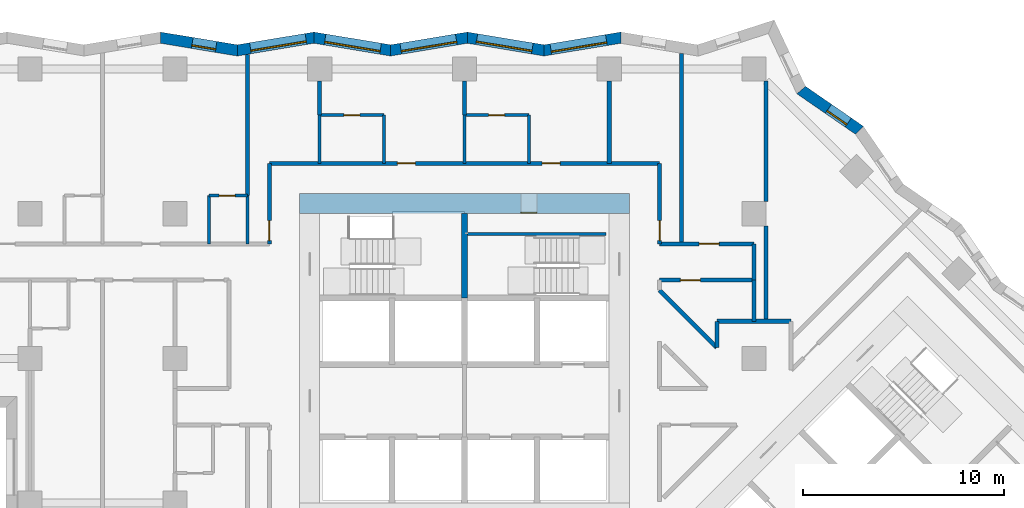
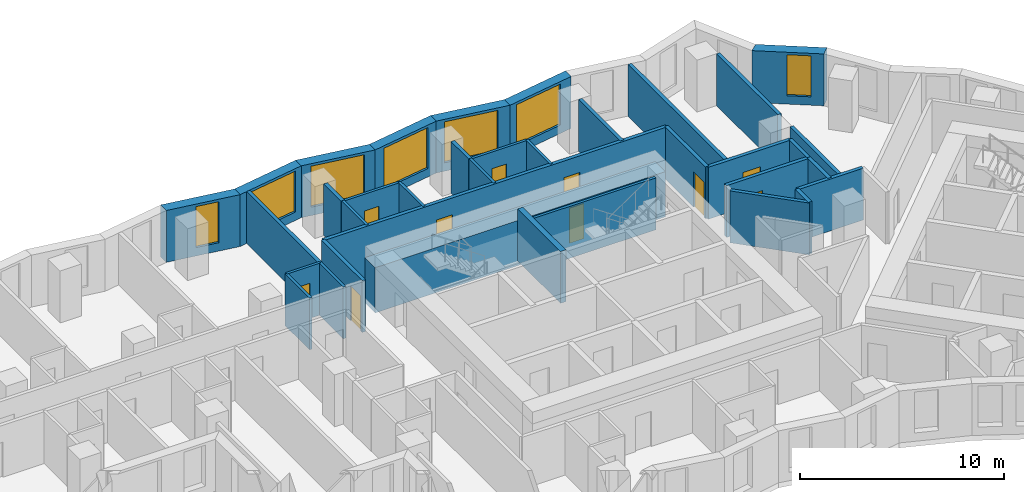
# One storey, part 6 of 13: 36 walls, 10 doors, 7 windows, 17 openings.
"""IFC4 building model written with IfcOpenShell, lengths in metres."""

from ifc_helpers import new_model, si_unit, direction, frame, frame_2d, origin, place, context, subcontext, project, spatial, polyline, rectangle, outline, extrude, material, layer, layer_set, type_object, element, fill, save


model = new_model("IFC4")

# Units and contexts
model_context = context("Model", 3, precision=1e-05, world=origin(), true_north=direction((0.0, 1.0)))
body_context = subcontext(model_context, "Body", "Model", "MODEL_VIEW")
ifc_project = project(units=[si_unit("LENGTHUNIT", "METRE"), si_unit("AREAUNIT", "SQUARE_METRE"), si_unit("VOLUMEUNIT", "CUBIC_METRE"), si_unit("PLANEANGLEUNIT", "RADIAN"), si_unit("MASSUNIT", "GRAM", prefix="KILO")], contexts=[model_context])

# Site, building, storey
site_placement = place(None, origin())
site = spatial("IfcSite", under=ifc_project, at=site_placement, CompositionType="ELEMENT")
building_placement = place(site_placement, origin())
building = spatial("IfcBuilding", under=site, at=building_placement, Name="Windrow Commons", CompositionType="ELEMENT")
storey_placement = place(building_placement, frame((0.0, 0.0, 64.4)))
storey = spatial("IfcBuildingStorey", under=building, at=storey_placement, Name="L17", CompositionType="ELEMENT", Elevation=64.4)

# Wall, opening, window
ifc_material_1 = material(Name="Brick masonry, red clay brick", Category="masonry")
ifc_layer_1 = layer(ifc_material_1, 0.55)
ifc_layer_set_1 = layer_set([ifc_layer_1], Name="Brick facade wall 550")
wall_type_1 = type_object("IfcWallType", Name="Brick facade wall 550", PredefinedType="SOLIDWALL", material=ifc_layer_set_1)
wall_1_placement = place(storey_placement, frame((84.4439, 68.9487, 0.0), z_axis=(0.0, 0.0, 1.0), x_axis=(-0.8229699745, 0.5680848714, 0.0)))
wall_1 = element("IfcWall", 1, at=wall_1_placement, inside=storey, type_object=wall_type_1, Name="Brick facade wall L17 21", PredefinedType="SOLIDWALL", context=body_context, shape_type="SweptSolid", body=[
    extrude(outline(polyline([(-0.0504, -0.275), (3.445, -0.275), (3.5927, 0.275), (0.0504, 0.275), (-0.0504, -0.275)])), origin(), (0.0, 0.0, 1.0), 3.1),
])
opening_1_placement = place(wall_1_placement, frame((0.6768, 0.0, 0.5)))
opening_1 = element("IfcOpeningElement", 2, at=opening_1_placement, cuts=wall_1, Name="Opening W7D", PredefinedType="OPENING", context=body_context, shape_type="SweptSolid", body=[
    extrude(rectangle(XDim=1.2, YDim=2.45, at=frame_2d((0.6, 1.225))), frame((0.0, 0.285, 0.0), z_axis=(0.0, -1.0, 0.0), x_axis=(1.0, 0.0, 0.0)), (0.0, 0.0, 1.0), 0.57),
])
ifc_material_2 = material(Name="Clear float glass in anodised aluminium frame", Category="aluminium")
window_type_1 = type_object("IfcWindowType", Name="Window W7 notch 1200x2450", PartitioningType="SINGLE_PANEL", PredefinedType="WINDOW", material=ifc_material_2)
window_1_placement = place(opening_1_placement, origin())
window_1 = element("IfcWindow", 3, at=window_1_placement, inside=storey, type_object=window_type_1, Name="Window L17 21.1", OverallHeight=2.45, OverallWidth=1.2, PartitioningType="SINGLE_PANEL", PredefinedType="WINDOW", context=body_context, shape_type="SweptSolid", body=[
    extrude(rectangle(XDim=1.2, YDim=2.45, at=frame_2d((0.6, 1.225))), frame((0.0, 0.155, 0.0), z_axis=(0.0, -1.0, 0.0), x_axis=(1.0, 0.0, 0.0)), (0.0, 0.0, 1.0), 0.06),
])
fill(opening_1, window_1)

wall_2_placement = place(storey_placement, frame((72.574, 73.5542, 0.0), z_axis=(0.0, 0.0, 1.0), x_axis=(-0.9865110911, -0.1636944324, 0.0)))
wall_2 = element("IfcWall", 4, at=wall_2_placement, inside=storey, type_object=wall_type_1, Name="Brick facade wall L17 25", PredefinedType="SOLIDWALL", context=body_context, shape_type="SweptSolid", body=[
    extrude(outline(polyline([(-0.0456, -0.275), (3.8213, -0.275), (3.9126, 0.275), (0.0456, 0.275), (-0.0456, -0.275)])), origin(), (0.0, 0.0, 1.0), 3.1),
])
opening_2_placement = place(wall_2_placement, frame((0.7244, 0.0, 0.5)))
opening_2 = element("IfcOpeningElement", 5, at=opening_2_placement, cuts=wall_2, Name="Opening W1T", PredefinedType="OPENING", context=body_context, shape_type="SweptSolid", body=[
    extrude(rectangle(XDim=2.8, YDim=2.45, at=frame_2d((1.4, 1.225))), frame((0.0, 0.285, 0.0), z_axis=(0.0, -1.0, 0.0), x_axis=(1.0, 0.0, 0.0)), (0.0, 0.0, 1.0), 0.57),
])
ifc_material_3 = material(Name="Clear float glass in anodised aluminium frame", Category="aluminium")
window_type_2 = type_object("IfcWindowType", Name="Window W1T bedroom 2800x2450", PartitioningType="SINGLE_PANEL", PredefinedType="WINDOW", material=ifc_material_3)
window_2_placement = place(opening_2_placement, origin())
window_2 = element("IfcWindow", 6, at=window_2_placement, inside=storey, type_object=window_type_2, Name="Window L17 25.1", OverallHeight=2.45, OverallWidth=2.8, PartitioningType="SINGLE_PANEL", PredefinedType="WINDOW", context=body_context, shape_type="SweptSolid", body=[
    extrude(rectangle(XDim=2.8, YDim=2.45, at=frame_2d((1.4, 1.225))), frame((0.0, 0.155, 0.0), z_axis=(0.0, -1.0, 0.0), x_axis=(1.0, 0.0, 0.0)), (0.0, 0.0, 1.0), 0.06),
])
fill(opening_2, window_2)

wall_3_placement = place(storey_placement, frame((68.7592, 72.9212, 0.0), z_axis=(0.0, 0.0, 1.0), x_axis=(-0.9865110911, 0.1636944324, 0.0)))
wall_3 = element("IfcWall", 7, at=wall_3_placement, inside=storey, type_object=wall_type_1, Name="Brick facade wall L17 26", PredefinedType="SOLIDWALL", context=body_context, shape_type="SweptSolid", body=[
    extrude(outline(polyline([(0.0456, -0.275), (3.9126, -0.275), (3.8213, 0.275), (-0.0456, 0.275), (0.0456, -0.275)])), origin(), (0.0, 0.0, 1.0), 3.1),
])
opening_3_placement = place(wall_3_placement, frame((0.5927, 0.0, 0.5)))
opening_3 = element("IfcOpeningElement", 8, at=opening_3_placement, cuts=wall_3, Name="Opening W1T", PredefinedType="OPENING", context=body_context, shape_type="SweptSolid", body=[
    extrude(rectangle(XDim=2.8, YDim=2.45, at=frame_2d((1.4, 1.225))), frame((0.0, 0.285, 0.0), z_axis=(0.0, -1.0, 0.0), x_axis=(1.0, 0.0, 0.0)), (0.0, 0.0, 1.0), 0.57),
])
window_3_placement = place(opening_3_placement, origin())
window_3 = element("IfcWindow", 9, at=window_3_placement, inside=storey, type_object=window_type_2, Name="Window L17 26.1", OverallHeight=2.45, OverallWidth=2.8, PartitioningType="SINGLE_PANEL", PredefinedType="WINDOW", context=body_context, shape_type="SweptSolid", body=[
    extrude(rectangle(XDim=2.8, YDim=2.45, at=frame_2d((1.4, 1.225))), frame((0.0, 0.155, 0.0), z_axis=(0.0, -1.0, 0.0), x_axis=(1.0, 0.0, 0.0)), (0.0, 0.0, 1.0), 0.06),
])
fill(opening_3, window_3)

wall_4_placement = place(storey_placement, frame((64.9444, 73.5542, 0.0), z_axis=(0.0, 0.0, 1.0), x_axis=(-0.9865103981, -0.1636986085, 0.0)))
wall_4 = element("IfcWall", 10, at=wall_4_placement, inside=storey, type_object=wall_type_1, Name="Brick facade wall L17 27", PredefinedType="SOLIDWALL", context=body_context, shape_type="SweptSolid", body=[
    extrude(outline(polyline([(-0.0456, -0.275), (3.8213, -0.275), (3.9126, 0.275), (0.0456, 0.275), (-0.0456, -0.275)])), origin(), (0.0, 0.0, 1.0), 3.1),
])
opening_4_placement = place(wall_4_placement, frame((0.5563, 0.0, 0.5)))
opening_4 = element("IfcOpeningElement", 11, at=opening_4_placement, cuts=wall_4, Name="Opening W1T", PredefinedType="OPENING", context=body_context, shape_type="SweptSolid", body=[
    extrude(rectangle(XDim=2.8, YDim=2.45, at=frame_2d((1.4, 1.225))), frame((0.0, 0.285, 0.0), z_axis=(0.0, -1.0, 0.0), x_axis=(1.0, 0.0, 0.0)), (0.0, 0.0, 1.0), 0.57),
])
window_4_placement = place(opening_4_placement, origin())
window_4 = element("IfcWindow", 12, at=window_4_placement, inside=storey, type_object=window_type_2, Name="Window L17 27.1", OverallHeight=2.45, OverallWidth=2.8, PartitioningType="SINGLE_PANEL", PredefinedType="WINDOW", context=body_context, shape_type="SweptSolid", body=[
    extrude(rectangle(XDim=2.8, YDim=2.45, at=frame_2d((1.4, 1.225))), frame((0.0, 0.155, 0.0), z_axis=(0.0, -1.0, 0.0), x_axis=(1.0, 0.0, 0.0)), (0.0, 0.0, 1.0), 0.06),
])
fill(opening_4, window_4)

wall_5_placement = place(storey_placement, frame((61.1297, 72.9212, 0.0), z_axis=(0.0, 0.0, 1.0), x_axis=(-0.9865110911, 0.1636944324, 0.0)))
wall_5 = element("IfcWall", 13, at=wall_5_placement, inside=storey, type_object=wall_type_1, Name="Brick facade wall L17 28", PredefinedType="SOLIDWALL", context=body_context, shape_type="SweptSolid", body=[
    extrude(outline(polyline([(0.0456, -0.275), (3.9126, -0.275), (3.8213, 0.275), (-0.0456, 0.275), (0.0456, -0.275)])), origin(), (0.0, 0.0, 1.0), 3.1),
])
opening_5_placement = place(wall_5_placement, frame((0.5107, 0.0, 0.5)))
opening_5 = element("IfcOpeningElement", 14, at=opening_5_placement, cuts=wall_5, Name="Opening W1T", PredefinedType="OPENING", context=body_context, shape_type="SweptSolid", body=[
    extrude(rectangle(XDim=2.8, YDim=2.45, at=frame_2d((1.4, 1.225))), frame((0.0, 0.285, 0.0), z_axis=(0.0, -1.0, 0.0), x_axis=(1.0, 0.0, 0.0)), (0.0, 0.0, 1.0), 0.57),
])
window_5_placement = place(opening_5_placement, origin())
window_5 = element("IfcWindow", 15, at=window_5_placement, inside=storey, type_object=window_type_2, Name="Window L17 28.1", OverallHeight=2.45, OverallWidth=2.8, PartitioningType="SINGLE_PANEL", PredefinedType="WINDOW", context=body_context, shape_type="SweptSolid", body=[
    extrude(rectangle(XDim=2.8, YDim=2.45, at=frame_2d((1.4, 1.225))), frame((0.0, 0.155, 0.0), z_axis=(0.0, -1.0, 0.0), x_axis=(1.0, 0.0, 0.0)), (0.0, 0.0, 1.0), 0.06),
])
fill(opening_5, window_5)

wall_6_placement = place(storey_placement, frame((57.3149, 73.5542, 0.0), z_axis=(0.0, 0.0, 1.0), x_axis=(-0.9865110911, -0.1636944324, 0.0)))
wall_6 = element("IfcWall", 16, at=wall_6_placement, inside=storey, type_object=wall_type_1, Name="Brick facade wall L17 29", PredefinedType="SOLIDWALL", context=body_context, shape_type="SweptSolid", body=[
    extrude(outline(polyline([(-0.0456, -0.275), (3.8213, -0.275), (3.9126, 0.275), (0.0456, 0.275), (-0.0456, -0.275)])), origin(), (0.0, 0.0, 1.0), 3.1),
])
opening_6_placement = place(wall_6_placement, frame((0.4029, 0.0, 0.5)))
opening_6 = element("IfcOpeningElement", 17, at=opening_6_placement, cuts=wall_6, Name="Opening W1T", PredefinedType="OPENING", context=body_context, shape_type="SweptSolid", body=[
    extrude(rectangle(XDim=2.8, YDim=2.45, at=frame_2d((1.4, 1.225))), frame((0.0, 0.285, 0.0), z_axis=(0.0, -1.0, 0.0), x_axis=(1.0, 0.0, 0.0)), (0.0, 0.0, 1.0), 0.57),
])
window_6_placement = place(opening_6_placement, origin())
window_6 = element("IfcWindow", 18, at=window_6_placement, inside=storey, type_object=window_type_2, Name="Window L17 29.1", OverallHeight=2.45, OverallWidth=2.8, PartitioningType="SINGLE_PANEL", PredefinedType="WINDOW", context=body_context, shape_type="SweptSolid", body=[
    extrude(rectangle(XDim=2.8, YDim=2.45, at=frame_2d((1.4, 1.225))), frame((0.0, 0.155, 0.0), z_axis=(0.0, -1.0, 0.0), x_axis=(1.0, 0.0, 0.0)), (0.0, 0.0, 1.0), 0.06),
])
fill(opening_6, window_6)

wall_7_placement = place(storey_placement, frame((53.5001, 72.9212, 0.0), z_axis=(0.0, 0.0, 1.0), x_axis=(-0.9865110911, 0.1636944324, 0.0)))
wall_7 = element("IfcWall", 19, at=wall_7_placement, inside=storey, type_object=wall_type_1, Name="Brick facade wall L17 30", PredefinedType="SOLIDWALL", context=body_context, shape_type="SweptSolid", body=[
    extrude(outline(polyline([(0.0456, -0.275), (3.9126, -0.275), (3.8213, 0.275), (-0.0456, 0.275), (0.0456, -0.275)])), origin(), (0.0, 0.0, 1.0), 3.1),
])
opening_7_placement = place(wall_7_placement, frame((1.0712, 0.0, 0.5)))
opening_7 = element("IfcOpeningElement", 20, at=opening_7_placement, cuts=wall_7, Name="Opening W7D", PredefinedType="OPENING", context=body_context, shape_type="SweptSolid", body=[
    extrude(rectangle(XDim=1.2, YDim=2.45, at=frame_2d((0.6, 1.225))), frame((0.0, 0.285, 0.0), z_axis=(0.0, -1.0, 0.0), x_axis=(1.0, 0.0, 0.0)), (0.0, 0.0, 1.0), 0.57),
])
window_7_placement = place(opening_7_placement, origin())
window_7 = element("IfcWindow", 21, at=window_7_placement, inside=storey, type_object=window_type_1, Name="Window L17 30.1", OverallHeight=2.45, OverallWidth=1.2, PartitioningType="SINGLE_PANEL", PredefinedType="WINDOW", context=body_context, shape_type="SweptSolid", body=[
    extrude(rectangle(XDim=1.2, YDim=2.45, at=frame_2d((0.6, 1.225))), frame((0.0, 0.155, 0.0), z_axis=(0.0, -1.0, 0.0), x_axis=(1.0, 0.0, 0.0)), (0.0, 0.0, 1.0), 0.06),
])
fill(opening_7, window_7)

# Wall, openings, doors
ifc_material_4 = material(Name="Blockwork partition", Category="masonry")
ifc_layer_2 = layer(ifc_material_4, 0.2)
ifc_layer_set_2 = layer_set([ifc_layer_2], Name="IW-CORRIDOR-200")
wall_type_2 = type_object("IfcWallType", Name="IW-CORRIDOR-200", PredefinedType="PARTITIONING", material=ifc_layer_set_2)
wall_8_placement = place(storey_placement, frame((55.1, 67.3, 0.0), z_axis=(0.0, 0.0, 1.0), x_axis=(1.0, 0.0, 0.0)))
wall_8 = element("IfcWall", 22, at=wall_8_placement, inside=storey, type_object=wall_type_2, Name="W-L17-W002", PredefinedType="PARTITIONING", context=body_context, shape_type="SweptSolid", body=[
    extrude(rectangle(XDim=19.4, YDim=0.2, at=frame_2d((9.7, 0.0))), origin(), (0.0, 0.0, 1.0), 3.1),
])
opening_8_placement = place(wall_8_placement, frame((6.3607, 0.0, 0.0)))
opening_8 = element("IfcOpeningElement", 23, at=opening_8_placement, cuts=wall_8, Name="Opening D109F", PredefinedType="OPENING", context=body_context, shape_type="SweptSolid", body=[
    extrude(rectangle(XDim=0.9, YDim=2.1, at=frame_2d((0.45, 1.05))), frame((0.0, 0.11, 0.0), z_axis=(0.0, -1.0, 0.0), x_axis=(1.0, 0.0, 0.0)), (0.0, 0.0, 1.0), 0.22),
])
opening_9_placement = place(wall_8_placement, frame((13.5607, 0.0, 0.0)))
opening_9 = element("IfcOpeningElement", 24, at=opening_9_placement, cuts=wall_8, Name="Opening D109F", PredefinedType="OPENING", context=body_context, shape_type="SweptSolid", body=[
    extrude(rectangle(XDim=0.9, YDim=2.1, at=frame_2d((0.45, 1.05))), frame((0.0, 0.11, 0.0), z_axis=(0.0, -1.0, 0.0), x_axis=(1.0, 0.0, 0.0)), (0.0, 0.0, 1.0), 0.22),
])
ifc_material_5 = material(Name="Timber door leaf", Category="wood")
door_type_1 = type_object("IfcDoorType", Name="DT-BEDROOM-900", OperationType="SINGLE_SWING_LEFT", PredefinedType="DOOR", material=ifc_material_5)
door_1_placement = place(opening_8_placement, origin())
door_1 = element("IfcDoor", 25, at=door_1_placement, inside=storey, type_object=door_type_1, Name="D-L17-D025", OperationType="SINGLE_SWING_RIGHT", OverallHeight=2.1, OverallWidth=0.9, PredefinedType="DOOR", context=body_context, shape_type="SweptSolid", body=[
    extrude(rectangle(XDim=0.9, YDim=2.1, at=frame_2d((0.45, 1.05))), frame((0.0, 0.025, 0.0), z_axis=(0.0, -1.0, 0.0), x_axis=(1.0, 0.0, 0.0)), (0.0, 0.0, 1.0), 0.05),
])
fill(opening_8, door_1)
door_2_placement = place(opening_9_placement, origin())
door_2 = element("IfcDoor", 26, at=door_2_placement, inside=storey, type_object=door_type_1, Name="D-L17-D027", OperationType="SINGLE_SWING_RIGHT", OverallHeight=2.1, OverallWidth=0.9, PredefinedType="DOOR", context=body_context, shape_type="SweptSolid", body=[
    extrude(rectangle(XDim=0.9, YDim=2.1, at=frame_2d((0.45, 1.05))), frame((0.0, 0.025, 0.0), z_axis=(0.0, -1.0, 0.0), x_axis=(1.0, 0.0, 0.0)), (0.0, 0.0, 1.0), 0.05),
])
fill(opening_9, door_2)

# Wall, opening, door
wall_9_placement = place(storey_placement, frame((74.502, 63.3, 0.0), z_axis=(0.0, 0.0, 1.0), x_axis=(1.0, 0.0, 0.0)))
wall_9 = element("IfcWall", 27, at=wall_9_placement, inside=storey, type_object=wall_type_2, Name="W-L17-W041", PredefinedType="PARTITIONING", context=body_context, shape_type="SweptSolid", body=[
    extrude(rectangle(XDim=4.698, YDim=0.2, at=frame_2d((2.349, 0.0))), origin(), (0.0, 0.0, 1.0), 3.1),
])
opening_10_placement = place(wall_9_placement, frame((1.9629, 0.0, 0.0)))
opening_10 = element("IfcOpeningElement", 28, at=opening_10_placement, cuts=wall_9, Name="Opening D310F", PredefinedType="OPENING", context=body_context, shape_type="SweptSolid", body=[
    extrude(rectangle(XDim=1.0, YDim=2.1, at=frame_2d((0.5, 1.05))), frame((0.0, 0.11, 0.0), z_axis=(0.0, -1.0, 0.0), x_axis=(1.0, 0.0, 0.0)), (0.0, 0.0, 1.0), 0.22),
])
ifc_material_6 = material(Name="Timber door leaf", Category="wood")
door_type_2 = type_object("IfcDoorType", Name="DT-AMENITY-1000", OperationType="SINGLE_SWING_LEFT", PredefinedType="DOOR", material=ifc_material_6)
door_3_placement = place(opening_10_placement, origin())
door_3 = element("IfcDoor", 29, at=door_3_placement, inside=storey, type_object=door_type_2, Name="D-L17-D034", OperationType="SINGLE_SWING_LEFT", OverallHeight=2.1, OverallWidth=1.0, PredefinedType="DOOR", context=body_context, shape_type="SweptSolid", body=[
    extrude(rectangle(XDim=1.0, YDim=2.1, at=frame_2d((0.5, 1.05))), frame((0.0, 0.025, 0.0), z_axis=(0.0, -1.0, 0.0), x_axis=(1.0, 0.0, 0.0)), (0.0, 0.0, 1.0), 0.05),
])
fill(opening_10, door_3)

wall_10_placement = place(storey_placement, frame((74.502, 61.5, 0.0), z_axis=(0.0, 0.0, 1.0), x_axis=(1.0, 0.0, 0.0)))
wall_10 = element("IfcWall", 30, at=wall_10_placement, inside=storey, type_object=wall_type_2, Name="W-L17-W042", PredefinedType="PARTITIONING", context=body_context, shape_type="SweptSolid", body=[
    extrude(rectangle(XDim=4.698, YDim=0.2, at=frame_2d((2.349, 0.0))), origin(), (0.0, 0.0, 1.0), 3.1),
])
opening_11_placement = place(wall_10_placement, frame((1.0335, 0.0, 0.0)))
opening_11 = element("IfcOpeningElement", 31, at=opening_11_placement, cuts=wall_10, Name="Opening D410F", PredefinedType="OPENING", context=body_context, shape_type="SweptSolid", body=[
    extrude(rectangle(XDim=1.0, YDim=2.1, at=frame_2d((0.5, 1.05))), frame((0.0, 0.11, 0.0), z_axis=(0.0, -1.0, 0.0), x_axis=(1.0, 0.0, 0.0)), (0.0, 0.0, 1.0), 0.22),
])
ifc_material_7 = material(Name="Timber door leaf", Category="wood")
door_type_3 = type_object("IfcDoorType", Name="DT-SERVICE-1000", OperationType="SINGLE_SWING_LEFT", PredefinedType="DOOR", material=ifc_material_7)
door_4_placement = place(opening_11_placement, origin())
door_4 = element("IfcDoor", 32, at=door_4_placement, inside=storey, type_object=door_type_3, Name="D-L17-D035", OperationType="SINGLE_SWING_RIGHT", OverallHeight=2.1, OverallWidth=1.0, PredefinedType="DOOR", context=body_context, shape_type="SweptSolid", body=[
    extrude(rectangle(XDim=1.0, YDim=2.1, at=frame_2d((0.5, 1.05))), frame((0.0, 0.025, 0.0), z_axis=(0.0, -1.0, 0.0), x_axis=(1.0, 0.0, 0.0)), (0.0, 0.0, 1.0), 0.05),
])
fill(opening_11, door_4)

# Wall
wall_11_placement = place(storey_placement, frame((74.4969, 60.9989, 0.0), z_axis=(0.0, 0.0, 1.0), x_axis=(0.7071067812, -0.7071067812, 0.0)))
element("IfcWall", 33, at=wall_11_placement, inside=storey, type_object=wall_type_2, Name="W-L17-W048", PredefinedType="PARTITIONING", context=body_context, shape_type="SweptSolid", body=[
    extrude(rectangle(XDim=4.0277, YDim=0.2, at=frame_2d((2.0139, 0.0))), origin(), (0.0, 0.0, 1.0), 3.1),
])

# Wall, opening, door
wall_12_placement = place(storey_placement, frame((55.1, 63.302, 0.0), z_axis=(0.0, 0.0, 1.0), x_axis=(0.0, 1.0, 0.0)))
wall_12 = element("IfcWall", 34, at=wall_12_placement, inside=storey, type_object=wall_type_2, Name="W-L17-W049", PredefinedType="PARTITIONING", context=body_context, shape_type="SweptSolid", body=[
    extrude(rectangle(XDim=3.998, YDim=0.2, at=frame_2d((1.999, 0.0))), origin(), (0.0, 0.0, 1.0), 3.1),
])
opening_12_placement = place(wall_12_placement, frame((0.1545, 0.0, 0.0)))
opening_12 = element("IfcOpeningElement", 35, at=opening_12_placement, cuts=wall_12, Name="Opening D310F", PredefinedType="OPENING", context=body_context, shape_type="SweptSolid", body=[
    extrude(rectangle(XDim=1.0, YDim=2.1, at=frame_2d((0.5, 1.05))), frame((0.0, 0.11, 0.0), z_axis=(0.0, -1.0, 0.0), x_axis=(1.0, 0.0, 0.0)), (0.0, 0.0, 1.0), 0.22),
])
door_5_placement = place(opening_12_placement, origin())
door_5 = element("IfcDoor", 36, at=door_5_placement, inside=storey, type_object=door_type_2, Name="D-L17-D015", OperationType="SINGLE_SWING_LEFT", OverallHeight=2.1, OverallWidth=1.0, PredefinedType="DOOR", context=body_context, shape_type="SweptSolid", body=[
    extrude(rectangle(XDim=1.0, YDim=2.1, at=frame_2d((0.5, 1.05))), frame((0.0, 0.025, 0.0), z_axis=(0.0, -1.0, 0.0), x_axis=(1.0, 0.0, 0.0)), (0.0, 0.0, 1.0), 0.05),
])
fill(opening_12, door_5)

wall_13_placement = place(storey_placement, frame((74.5, 63.302, 0.0), z_axis=(0.0, 0.0, 1.0), x_axis=(0.0, 1.0, 0.0)))
wall_13 = element("IfcWall", 37, at=wall_13_placement, inside=storey, type_object=wall_type_2, Name="W-L17-W050", PredefinedType="PARTITIONING", context=body_context, shape_type="SweptSolid", body=[
    extrude(rectangle(XDim=3.998, YDim=0.2, at=frame_2d((1.999, 0.0))), origin(), (0.0, 0.0, 1.0), 3.1),
])
opening_13_placement = place(wall_13_placement, frame((0.1545, 0.0, 0.0)))
opening_13 = element("IfcOpeningElement", 38, at=opening_13_placement, cuts=wall_13, Name="Opening D310F", PredefinedType="OPENING", context=body_context, shape_type="SweptSolid", body=[
    extrude(rectangle(XDim=1.0, YDim=2.1, at=frame_2d((0.5, 1.05))), frame((0.0, 0.11, 0.0), z_axis=(0.0, -1.0, 0.0), x_axis=(1.0, 0.0, 0.0)), (0.0, 0.0, 1.0), 0.22),
])
door_6_placement = place(opening_13_placement, origin())
door_6 = element("IfcDoor", 39, at=door_6_placement, inside=storey, type_object=door_type_2, Name="D-L17-D016", OperationType="SINGLE_SWING_RIGHT", OverallHeight=2.1, OverallWidth=1.0, PredefinedType="DOOR", context=body_context, shape_type="SweptSolid", body=[
    extrude(rectangle(XDim=1.0, YDim=2.1, at=frame_2d((0.5, 1.05))), frame((0.0, 0.025, 0.0), z_axis=(0.0, -1.0, 0.0), x_axis=(1.0, 0.0, 0.0)), (0.0, 0.0, 1.0), 0.05),
])
fill(opening_13, door_6)

# Walls
wall_14_placement = place(storey_placement, frame((77.352, 59.45, 0.0), z_axis=(0.0, 0.0, 1.0), x_axis=(1.0, 0.0, 0.0)))
element("IfcWall", 40, at=wall_14_placement, inside=storey, type_object=wall_type_2, Name="W-L17-W053", PredefinedType="PARTITIONING", context=body_context, shape_type="SweptSolid", body=[
    extrude(rectangle(XDim=3.698, YDim=0.2, at=frame_2d((1.849, 0.0))), origin(), (0.0, 0.0, 1.0), 3.1),
])
wall_15_placement = place(storey_placement, frame((79.2, 61.5, 0.0), z_axis=(0.0, 0.0, 1.0), x_axis=(0.0, 1.0, 0.0)))
element("IfcWall", 41, at=wall_15_placement, inside=storey, type_object=wall_type_2, Name="W-L17-W134", PredefinedType="PARTITIONING", context=body_context, shape_type="SweptSolid", body=[
    extrude(rectangle(XDim=1.8, YDim=0.2, at=frame_2d((0.9, 0.0))), origin(), (0.0, 0.0, 1.0), 3.1),
])
wall_16_placement = place(storey_placement, frame((77.35, 58.154, 0.0), z_axis=(0.0, 0.0, 1.0), x_axis=(0.0, 1.0, 0.0)))
element("IfcWall", 42, at=wall_16_placement, inside=storey, type_object=wall_type_2, Name="W-L17-W142", PredefinedType="PARTITIONING", context=body_context, shape_type="SweptSolid", body=[
    extrude(rectangle(XDim=1.296, YDim=0.2, at=frame_2d((0.648, 0.0))), origin(), (0.0, 0.0, 1.0), 3.1),
])

# Wall, opening, door
ifc_material_8 = material(Name="Blockwork partition", Category="masonry")
ifc_layer_3 = layer(ifc_material_8, 0.15)
ifc_layer_set_3 = layer_set([ifc_layer_3], Name="IW-ENSUITE-150")
wall_type_3 = type_object("IfcWallType", Name="IW-ENSUITE-150", PredefinedType="PARTITIONING", material=ifc_layer_set_3)
wall_17_placement = place(storey_placement, frame((64.8, 69.7, 0.0), z_axis=(0.0, 0.0, 1.0), x_axis=(1.0, 0.0, 0.0)))
wall_17 = element("IfcWall", 43, at=wall_17_placement, inside=storey, type_object=wall_type_3, Name="W-L17-W060", PredefinedType="PARTITIONING", context=body_context, shape_type="SweptSolid", body=[
    extrude(rectangle(XDim=3.2, YDim=0.15, at=frame_2d((1.6, 0.0))), origin(), (0.0, 0.0, 1.0), 3.1),
])
opening_14_placement = place(wall_17_placement, frame((1.1958, 0.0, 0.0)))
opening_14 = element("IfcOpeningElement", 44, at=opening_14_placement, cuts=wall_17, Name="Opening D208N", PredefinedType="OPENING", context=body_context, shape_type="SweptSolid", body=[
    extrude(rectangle(XDim=0.8, YDim=2.1, at=frame_2d((0.4, 1.05))), frame((0.0, 0.085, 0.0), z_axis=(0.0, -1.0, 0.0), x_axis=(1.0, 0.0, 0.0)), (0.0, 0.0, 1.0), 0.17),
])
ifc_material_9 = material(Name="Timber door leaf", Category="wood")
door_type_4 = type_object("IfcDoorType", Name="DT-ENSUITE-800", OperationType="SINGLE_SWING_LEFT", PredefinedType="DOOR", material=ifc_material_9)
door_7_placement = place(opening_14_placement, origin())
door_7 = element("IfcDoor", 45, at=door_7_placement, inside=storey, type_object=door_type_4, Name="D-L17-D028", OperationType="SINGLE_SWING_RIGHT", OverallHeight=2.1, OverallWidth=0.8, PredefinedType="DOOR", context=body_context, shape_type="SweptSolid", body=[
    extrude(rectangle(XDim=0.8, YDim=2.1, at=frame_2d((0.4, 1.05))), frame((0.0, 0.025, 0.0), z_axis=(0.0, -1.0, 0.0), x_axis=(1.0, 0.0, 0.0)), (0.0, 0.0, 1.0), 0.05),
])
fill(opening_14, door_7)

wall_18_placement = place(storey_placement, frame((57.6, 69.7, 0.0), z_axis=(0.0, 0.0, 1.0), x_axis=(1.0, 0.0, 0.0)))
wall_18 = element("IfcWall", 46, at=wall_18_placement, inside=storey, type_object=wall_type_3, Name="W-L17-W062", PredefinedType="PARTITIONING", context=body_context, shape_type="SweptSolid", body=[
    extrude(rectangle(XDim=3.2, YDim=0.15, at=frame_2d((1.6, 0.0))), origin(), (0.0, 0.0, 1.0), 3.1),
])
opening_15_placement = place(wall_18_placement, frame((1.1958, 0.0, 0.0)))
opening_15 = element("IfcOpeningElement", 47, at=opening_15_placement, cuts=wall_18, Name="Opening D208N", PredefinedType="OPENING", context=body_context, shape_type="SweptSolid", body=[
    extrude(rectangle(XDim=0.8, YDim=2.1, at=frame_2d((0.4, 1.05))), frame((0.0, 0.085, 0.0), z_axis=(0.0, -1.0, 0.0), x_axis=(1.0, 0.0, 0.0)), (0.0, 0.0, 1.0), 0.17),
])
door_8_placement = place(opening_15_placement, origin())
door_8 = element("IfcDoor", 48, at=door_8_placement, inside=storey, type_object=door_type_4, Name="D-L17-D026", OperationType="SINGLE_SWING_RIGHT", OverallHeight=2.1, OverallWidth=0.8, PredefinedType="DOOR", context=body_context, shape_type="SweptSolid", body=[
    extrude(rectangle(XDim=0.8, YDim=2.1, at=frame_2d((0.4, 1.05))), frame((0.0, 0.025, 0.0), z_axis=(0.0, -1.0, 0.0), x_axis=(1.0, 0.0, 0.0)), (0.0, 0.0, 1.0), 0.05),
])
fill(opening_15, door_8)

# Walls
for number, where, z_axis, x_axis, name in (
    (49, (52.1, 63.3, 0.0), (0.0, 0.0, 1.0), (0.0, 1.0, 0.0), "W-L17-W078"),
    (50, (54.0, 63.3, 0.0), (0.0, 0.0, 1.0), (0.0, 1.0, 0.0), "W-L17-W079"),
    (51, (57.6, 67.3, 0.0), (0.0, 0.0, 1.0), (0.0, 1.0, 0.0), "W-L17-W080"),
    (52, (60.8, 67.3, 0.0), (0.0, 0.0, 1.0), (0.0, 1.0, 0.0), "W-L17-W081"),
    (53, (68.0, 67.3, 0.0), (0.0, 0.0, 1.0), (0.0, 1.0, 0.0), "W-L17-W082"),
    (54, (64.8, 67.3, 0.0), (0.0, 0.0, 1.0), (0.0, 1.0, 0.0), "W-L17-W083"),
):
    element("IfcWall", number, at=place(storey_placement, frame(where, z_axis=z_axis, x_axis=x_axis)), inside=storey, type_object=wall_type_3, Name=name, PredefinedType="PARTITIONING", context=body_context, shape_type="SweptSolid", body=[
        extrude(rectangle(XDim=2.4, YDim=0.15, at=frame_2d((1.2, 0.0))), origin(), (0.0, 0.0, 1.0), 3.1),
    ])

# Wall, opening, door
wall_19_placement = place(storey_placement, frame((52.1, 65.7, 0.0), z_axis=(0.0, 0.0, 1.0), x_axis=(1.0, 0.0, 0.0)))
wall_19 = element("IfcWall", 55, at=wall_19_placement, inside=storey, type_object=wall_type_3, Name="W-L17-W122", PredefinedType="PARTITIONING", context=body_context, shape_type="SweptSolid", body=[
    extrude(rectangle(XDim=1.9, YDim=0.15, at=frame_2d((0.95, 0.0))), origin(), (0.0, 0.0, 1.0), 3.1),
])
opening_16_placement = place(wall_19_placement, frame((0.4931, 0.0, 0.0)))
opening_16 = element("IfcOpeningElement", 56, at=opening_16_placement, cuts=wall_19, Name="Opening D208N", PredefinedType="OPENING", context=body_context, shape_type="SweptSolid", body=[
    extrude(rectangle(XDim=0.8, YDim=2.1, at=frame_2d((0.4, 1.05))), frame((0.0, 0.085, 0.0), z_axis=(0.0, -1.0, 0.0), x_axis=(1.0, 0.0, 0.0)), (0.0, 0.0, 1.0), 0.17),
])
door_9_placement = place(opening_16_placement, origin())
door_9 = element("IfcDoor", 57, at=door_9_placement, inside=storey, type_object=door_type_4, Name="D-L17-D014", OperationType="SINGLE_SWING_RIGHT", OverallHeight=2.1, OverallWidth=0.8, PredefinedType="DOOR", context=body_context, shape_type="SweptSolid", body=[
    extrude(rectangle(XDim=0.8, YDim=2.1, at=frame_2d((0.4, 1.05))), frame((0.0, 0.025, 0.0), z_axis=(0.0, -1.0, 0.0), x_axis=(1.0, 0.0, 0.0)), (0.0, 0.0, 1.0), 0.05),
])
fill(opening_16, door_9)

# Walls
ifc_material_10 = material(Name="Blockwork partition", Category="masonry")
ifc_layer_4 = layer(ifc_material_10, 0.2)
ifc_layer_set_4 = layer_set([ifc_layer_4], Name="IW-PARTY-200")
wall_type_4 = type_object("IfcWallType", Name="IW-PARTY-200", PredefinedType="PARTITIONING", material=ifc_layer_set_4)
wall_20_placement = place(storey_placement, frame((75.6, 63.3, 0.0), z_axis=(0.0, 0.0, 1.0), x_axis=(0.0, 1.0, 0.0)))
element("IfcWall", 58, at=wall_20_placement, inside=storey, type_object=wall_type_4, Name="W-L17-W014", PredefinedType="PARTITIONING", context=body_context, shape_type="SweptSolid", body=[
    extrude(rectangle(XDim=9.4734, YDim=0.2, at=frame_2d((4.7367, 0.0))), origin(), (0.0, 0.0, 1.0), 3.1),
])
wall_21_placement = place(storey_placement, frame((54.0, 65.7, 0.0), z_axis=(0.0, 0.0, 1.0), x_axis=(0.0, 1.0, 0.0)))
element("IfcWall", 59, at=wall_21_placement, inside=storey, type_object=wall_type_4, Name="W-L17-W024", PredefinedType="PARTITIONING", context=body_context, shape_type="SweptSolid", body=[
    extrude(rectangle(XDim=7.0254, YDim=0.2, at=frame_2d((3.5127, 0.0))), origin(), (0.0, 0.0, 1.0), 3.1),
])
wall_22_placement = place(storey_placement, frame((79.8, 65.4, 0.0), z_axis=(0.0, 0.0, 1.0), x_axis=(0.0, 1.0, 0.0)))
element("IfcWall", 60, at=wall_22_placement, inside=storey, type_object=wall_type_4, Name="W-L17-W030", PredefinedType="PARTITIONING", context=body_context, shape_type="SweptSolid", body=[
    extrude(rectangle(XDim=6.0, YDim=0.2, at=frame_2d((3.0, 0.0))), origin(), (0.0, 0.0, 1.0), 3.1),
])
wall_23_placement = place(storey_placement, frame((79.8, 59.45, 0.0), z_axis=(0.0, 0.0, 1.0), x_axis=(0.0, 1.0, 0.0)))
element("IfcWall", 61, at=wall_23_placement, inside=storey, type_object=wall_type_4, Name="W-L17-W038", PredefinedType="PARTITIONING", context=body_context, shape_type="SweptSolid", body=[
    extrude(rectangle(XDim=4.75, YDim=0.2, at=frame_2d((2.375, 0.0))), origin(), (0.0, 0.0, 1.0), 3.1),
])
wall_24_placement = place(storey_placement, frame((72.0, 67.3, 0.0), z_axis=(0.0, 0.0, 1.0), x_axis=(0.0, 1.0, 0.0)))
element("IfcWall", 62, at=wall_24_placement, inside=storey, type_object=wall_type_4, Name="W-L17-W046", PredefinedType="PARTITIONING", context=body_context, shape_type="SweptSolid", body=[
    extrude(rectangle(XDim=4.1, YDim=0.2, at=frame_2d((2.05, 0.0))), origin(), (0.0, 0.0, 1.0), 3.1),
])
wall_25_placement = place(storey_placement, frame((79.2, 59.45, 0.0), z_axis=(0.0, 0.0, 1.0), x_axis=(0.0, 1.0, 0.0)))
element("IfcWall", 63, at=wall_25_placement, inside=storey, type_object=wall_type_4, Name="W-L17-W113", PredefinedType="PARTITIONING", context=body_context, shape_type="SweptSolid", body=[
    extrude(rectangle(XDim=2.05, YDim=0.2, at=frame_2d((1.025, 0.0))), origin(), (0.0, 0.0, 1.0), 3.1),
])
for number, where, z_axis, x_axis, name in (
    (64, (57.6, 69.7, 0.0), (0.0, 0.0, 1.0), (0.0, 1.0, 0.0), "W-L17-W137"),
    (65, (64.8, 69.7, 0.0), (0.0, 0.0, 1.0), (0.0, 1.0, 0.0), "W-L17-W139"),
):
    element("IfcWall", number, at=place(storey_placement, frame(where, z_axis=z_axis, x_axis=x_axis)), inside=storey, type_object=wall_type_4, Name=name, PredefinedType="PARTITIONING", context=body_context, shape_type="SweptSolid", body=[
        extrude(rectangle(XDim=1.7, YDim=0.2, at=frame_2d((0.85, 0.0))), origin(), (0.0, 0.0, 1.0), 3.1),
    ])

# Wall, opening, door
ifc_material_11 = material(Name="Concrete C60/75", Category="concrete")
ifc_layer_5 = layer(ifc_material_11, 1.0)
ifc_layer_set_5 = layer_set([ifc_layer_5], Name="RC CORE WALL 1000 C60/75")
wall_type_5 = type_object("IfcWallType", Name="RC CORE WALL 1000 C60/75", PredefinedType="SHEAR", material=ifc_layer_set_5)
wall_26_placement = place(storey_placement, frame((56.6, 65.3, -0.3), z_axis=(0.0, 0.0, 1.0), x_axis=(1.0, 0.0, 0.0)))
wall_26 = element("IfcWall", 66, at=wall_26_placement, inside=storey, type_object=wall_type_5, Name="Core A wall outer-N", PredefinedType="SHEAR", context=body_context, shape_type="SweptSolid", body=[
    extrude(rectangle(XDim=16.4, YDim=1.0, at=frame_2d((8.2, 0.0))), origin(), (0.0, 0.0, 1.0), 2.7),
])
opening_17_placement = place(wall_26_placement, frame((11.0, 0.0, 0.3)))
opening_17 = element("IfcOpeningElement", 67, at=opening_17_placement, cuts=wall_26, Name="Opening D9", PredefinedType="OPENING", context=body_context, shape_type="SweptSolid", body=[
    extrude(rectangle(XDim=0.8, YDim=2.1, at=frame_2d((0.4, 1.05))), frame((0.0, 0.51, 0.0), z_axis=(0.0, -1.0, 0.0), x_axis=(1.0, 0.0, 0.0)), (0.0, 0.0, 1.0), 1.02),
])
ifc_material_12 = material(Name="Steel fire door leaf", Category="steel")
door_type_5 = type_object("IfcDoorType", Name="Riser access door 800", OperationType="SINGLE_SWING_LEFT", PredefinedType="DOOR", material=ifc_material_12)
door_10_placement = place(opening_17_placement, origin())
door_10 = element("IfcDoor", 68, at=door_10_placement, inside=storey, type_object=door_type_5, Name="Riser access door", OperationType="SINGLE_SWING_RIGHT", OverallHeight=2.1, OverallWidth=0.8, PredefinedType="DOOR", context=body_context, shape_type="SweptSolid", body=[
    extrude(rectangle(XDim=0.8, YDim=2.1, at=frame_2d((0.4, 1.05))), frame((0.0, -0.44, 0.0), z_axis=(0.0, -1.0, 0.0), x_axis=(1.0, 0.0, 0.0)), (0.0, 0.0, 1.0), 0.05),
])
fill(opening_17, door_10)

# Walls
ifc_material_13 = material(Name="Concrete C60/75", Category="concrete")
ifc_layer_6 = layer(ifc_material_13, 0.3)
ifc_layer_set_6 = layer_set([ifc_layer_6], Name="RC SHAFT WALL 300 C60/75")
wall_type_6 = type_object("IfcWallType", Name="RC SHAFT WALL 300 C60/75", PredefinedType="SOLIDWALL", material=ifc_layer_set_6)
wall_27_placement = place(storey_placement, frame((64.8, 60.6, 0.0), z_axis=(0.0, 0.0, 1.0), x_axis=(0.0, 1.0, 0.0)))
element("IfcWall", 69, at=wall_27_placement, inside=storey, type_object=wall_type_6, Name="Core A wall stair-mid", PredefinedType="SOLIDWALL", context=body_context, shape_type="SweptSolid", body=[
    extrude(rectangle(XDim=4.2, YDim=0.3, at=frame_2d((2.1, 0.0))), origin(), (0.0, 0.0, 1.0), 3.1),
])
ifc_material_14 = material(Name="Blockwork partition", Category="masonry")
ifc_layer_7 = layer(ifc_material_14, 0.15)
ifc_layer_set_7 = layer_set([ifc_layer_7], Name="Riser partition 150")
wall_type_7 = type_object("IfcWallType", Name="Riser partition 150", PredefinedType="PARTITIONING", material=ifc_layer_set_7)
wall_28_placement = place(storey_placement, frame((64.95, 63.78, 0.0), z_axis=(0.0, 0.0, 1.0), x_axis=(1.0, 0.0, 0.0)))
element("IfcWall", 70, at=wall_28_placement, inside=storey, type_object=wall_type_7, Name="W-core-strip-A-L17", PredefinedType="PARTITIONING", context=body_context, shape_type="SweptSolid", body=[
    extrude(rectangle(XDim=6.9, YDim=0.15, at=frame_2d((3.45, 0.0))), origin(), (0.0, 0.0, 1.0), 3.1),
])

save(model, "model.ifc")
